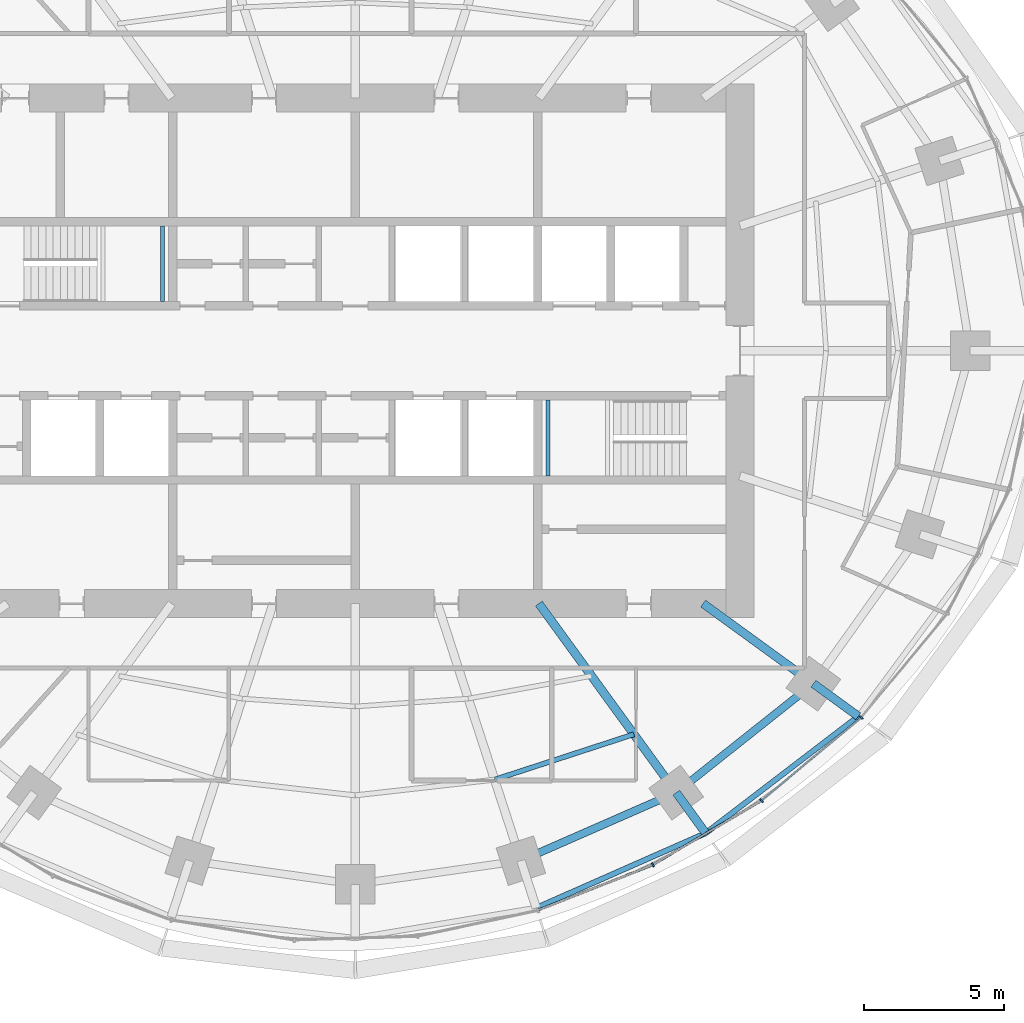
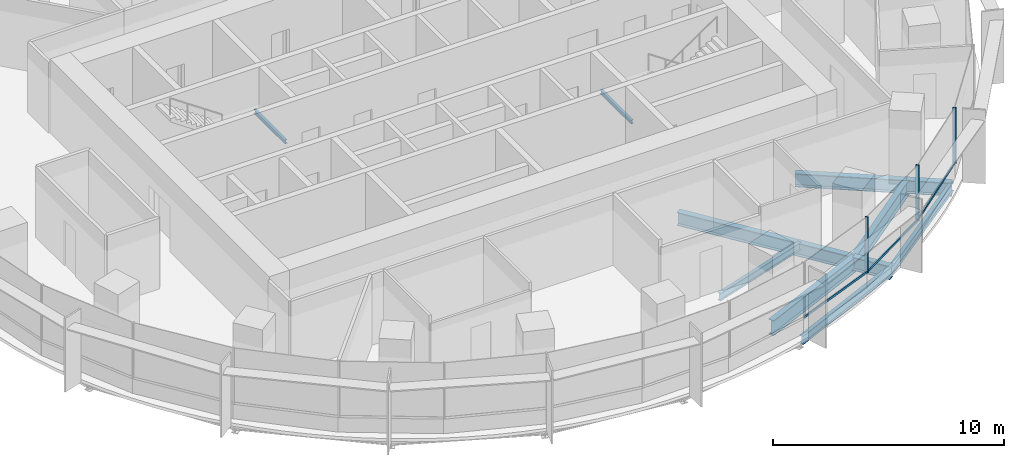
# One storey, part 5 of 15: 11 beams, 6 members, 2 elements without a shape of their own.
"""IFC4 building model written with IfcOpenShell, lengths in metres."""

from ifc_helpers import new_model, si_unit, direction, frame, origin, origin_2d, place, context, subcontext, project, spatial, rectangle, i_section, extrude, material, material_profile, profile_set, type_object, element, aggregate, save


model = new_model("IFC4")

# Units and contexts
model_context = context("Model", 3, precision=1e-05, world=origin(), true_north=direction((0.0, 1.0)))
body_context = subcontext(model_context, "Body", "Model", "MODEL_VIEW")
ifc_project = project(units=[si_unit("LENGTHUNIT", "METRE"), si_unit("AREAUNIT", "SQUARE_METRE"), si_unit("VOLUMEUNIT", "CUBIC_METRE"), si_unit("PLANEANGLEUNIT", "RADIAN"), si_unit("MASSUNIT", "GRAM", prefix="KILO")], contexts=[model_context])

# Site, building, storey
site_placement = place(None, origin())
site = spatial("IfcSite", under=ifc_project, at=site_placement, CompositionType="ELEMENT")
building_placement = place(site_placement, origin())
building = spatial("IfcBuilding", under=site, at=building_placement, Name="Marramba Exchange Tower", CompositionType="ELEMENT")
storey_placement = place(building_placement, frame((0.0, 0.0, 211.10009765625)))
storey = spatial("IfcBuildingStorey", under=building, at=storey_placement, Name="L51", CompositionType="ELEMENT", Elevation=211.10009765625)

# Beams
ifc_material_1 = material(Name="Steel AS/NZS 3679.2 grade 300", Category="steel")
ifc_material_profile_1 = material_profile(ifc_material_1, i_section(OverallWidth=0.300048828125, OverallDepth=0.699951171875, WebThickness=0.010009765625, FlangeThickness=0.031982421875, at=origin_2d()), Name="700WB173")
ifc_profile_set_1 = profile_set([ifc_material_profile_1], Name="Steel AS/NZS 3679.2 grade 300")
beam_type_1 = type_object("IfcBeamType", Name="Cantilever girder 700WB173", PredefinedType="BEAM", material=ifc_profile_set_1)
beam_1_placement = place(storey_placement, frame((11.430419921875, -15.732666015625, -0.510009765625), z_axis=(0.58783009415, -0.808984412959, 0.0), x_axis=(0.808984412959, 0.58783009415, 0.0)))
element("IfcBeam", 1, at=beam_1_placement, inside=storey, type_object=beam_type_1, Name="Cantilever girder L51 TC18", PredefinedType="BEAM", context=body_context, shape_type="SweptSolid", body=[
    extrude(i_section(OverallWidth=0.300048828125, OverallDepth=0.699951171875, WebThickness=0.010009765625, FlangeThickness=0.031982421875, at=origin_2d()), origin(), (0.0, 0.0, 1.0), 1.78515625),
])
beam_2_placement = place(storey_placement, frame((16.3154296875, -11.853759765625, -0.510009765625), z_axis=(0.808970801893, -0.587848825537, 0.0), x_axis=(0.587848825537, 0.808970801893, 0.0)))
element("IfcBeam", 2, at=beam_2_placement, inside=storey, type_object=beam_type_1, Name="Cantilever girder L51 TC19", PredefinedType="BEAM", context=body_context, shape_type="SweptSolid", body=[
    extrude(i_section(OverallWidth=0.300048828125, OverallDepth=0.699951171875, WebThickness=0.010009765625, FlangeThickness=0.031982421875, at=origin_2d()), origin(), (0.0, 0.0, 1.0), 1.978515625),
])
ifc_material_2 = material(Name="Steel AS/NZS 3679.1 grade 300", Category="steel")
ifc_material_profile_2 = material_profile(ifc_material_2, i_section(OverallWidth=0.177978515625, OverallDepth=0.406005859375, WebThickness=0.0078125, FlangeThickness=0.0126953125, FilletRadius=0.011474609375, at=origin_2d()), Name="410UB59.7")
ifc_profile_set_2 = profile_set([ifc_material_profile_2], Name="Steel AS/NZS 3679.1 grade 300")
beam_type_2 = type_object("IfcBeamType", Name="Floor joist 410UB59.7", PredefinedType="JOIST", material=ifc_profile_set_2)
beam_3_placement = place(storey_placement, frame((4.9619140625, -15.271484375, -0.363037109375), z_axis=(0.950764024931, 0.309915744834, 0.0), x_axis=(-0.309915744834, 0.950764024931, 0.0)))
element("IfcBeam", 3, at=beam_3_placement, inside=storey, type_object=beam_type_2, Name="Joist L51 bay 17 row 2", PredefinedType="JOIST", context=body_context, shape_type="SweptSolid", body=[
    extrude(i_section(OverallWidth=0.177978515625, OverallDepth=0.406005859375, WebThickness=0.0078125, FlangeThickness=0.0126953125, FilletRadius=0.011474609375, at=origin_2d()), origin(), (0.0, 0.0, 1.0), 5.2158203125),
])

# Curtain wall, members
ifc_material_3 = material(Name="Aluminium framing, bronze anodised", Category="aluminium")
curtain_wall_type = type_object("IfcCurtainWallType", Name="Office ribbon curtain wall", PredefinedType="USERDEFINED", material=ifc_material_3)
curtain_wall_1_placement = place(storey_placement, origin())
curtain_wall_1 = element("IfcCurtainWall", 4, at=curtain_wall_1_placement, inside=storey, type_object=curtain_wall_type, Name="Curtain wall CW4 L51 F26-F30", ObjectType="RIBBON CURTAIN WALL", PredefinedType="USERDEFINED")
ifc_material_4 = material(Name="Aluminium mullion, bronze anodised", Category="aluminium")
ifc_material_profile_3 = material_profile(ifc_material_4, rectangle(XDim=0.159912109375, YDim=0.06005859375, at=origin_2d()), Name="CW4 mullion 60x160")
ifc_profile_set_3 = profile_set([ifc_material_profile_3], Name="Aluminium mullion, bronze anodised")
member_type_1 = type_object("IfcMemberType", Name="Office ribbon curtain wall mullion", PredefinedType="MULLION", material=ifc_profile_set_3)
member_1_placement = place(storey_placement, frame((10.60009765625, -18.2998046875, 0.7998046875), z_axis=(0.0, 0.0, 1.0), x_axis=(-0.508010571686, 0.861350833897, 0.0)))
member_1 = element("IfcMember", 5, at=member_1_placement, type_object=member_type_1, Name="CW4 mullion 1", PredefinedType="MULLION", context=body_context, shape_type="SweptSolid", body=[
    extrude(rectangle(XDim=0.159912109375, YDim=0.06005859375, at=origin_2d()), origin(), (0.0, 0.0, 1.0), 2.940185546875),
])
member_2_placement = place(storey_placement, frame((14.461669921875, -16.0166015625, 0.7998046875), z_axis=(0.0, 0.0, 1.0), x_axis=(-0.639565270127, 0.768736798421, 0.0)))
member_2 = element("IfcMember", 6, at=member_2_placement, type_object=member_type_1, Name="CW4 mullion 1", PredefinedType="MULLION", context=body_context, shape_type="SweptSolid", body=[
    extrude(rectangle(XDim=0.159912109375, YDim=0.06005859375, at=origin_2d()), origin(), (0.0, 0.0, 1.0), 2.940185546875),
])
member_3_placement = place(storey_placement, frame((18.01611328125, -13.052490234375, 0.7998046875), z_axis=(0.0, 0.0, 1.0), x_axis=(-0.769912069289, 0.63814998673, 0.0)))
member_3 = element("IfcMember", 7, at=member_3_placement, type_object=member_type_1, Name="CW4 mullion 1", PredefinedType="MULLION", context=body_context, shape_type="SweptSolid", body=[
    extrude(rectangle(XDim=0.159912109375, YDim=0.06005859375, at=origin_2d()), origin(), (0.0, 0.0, 1.0), 2.940185546875),
])

# Curtain wall, member
curtain_wall_2_placement = place(storey_placement, origin())
curtain_wall_2 = element("IfcCurtainWall", 8, at=curtain_wall_2_placement, inside=storey, type_object=curtain_wall_type, Name="Curtain wall CW4 L51 F21-F25", ObjectType="RIBBON CURTAIN WALL", PredefinedType="USERDEFINED")
ifc_material_5 = material(Name="Aluminium transom, bronze anodised", Category="aluminium")
ifc_material_profile_4 = material_profile(ifc_material_5, rectangle(XDim=0.06005859375, YDim=0.1201171875, at=origin_2d()), Name="CW4 transom 60x120")
ifc_profile_set_4 = profile_set([ifc_material_profile_4], Name="Aluminium transom, bronze anodised")
member_type_2 = type_object("IfcMemberType", Name="Office ribbon curtain wall transom", PredefinedType="USERDEFINED", material=ifc_profile_set_4)
member_4_placement = place(storey_placement, frame((6.53271484375, -19.911376953125, 0.829833984375), z_axis=(0.930068344217, 0.367386547229, 0.0), x_axis=(-0.367386547229, 0.930068344217, 0.0)))
member_4 = element("IfcMember", 9, at=member_4_placement, type_object=member_type_2, Name="CW4 sill transom", ObjectType="TRANSOM", PredefinedType="USERDEFINED", context=body_context, shape_type="SweptSolid", body=[
    extrude(rectangle(XDim=0.06005859375, YDim=0.1201171875, at=origin_2d()), origin(), (0.0, 0.0, 1.0), 4.345458984375),
])
aggregate(curtain_wall_2, [member_4])

# Member
member_5_placement = place(storey_placement, frame((10.6259765625, -18.28466796875, 0.829833984375), z_axis=(0.861342387959, 0.508024891816, 0.0), x_axis=(-0.508024891816, 0.861342387959, 0.0)))
member_5 = element("IfcMember", 10, at=member_5_placement, type_object=member_type_2, Name="CW4 sill transom", ObjectType="TRANSOM", PredefinedType="USERDEFINED", context=body_context, shape_type="SweptSolid", body=[
    extrude(rectangle(XDim=0.06005859375, YDim=0.1201171875, at=origin_2d()), origin(), (0.0, 0.0, 1.0), 4.426513671875),
])

member_6_placement = place(storey_placement, frame((14.48486328125, -15.99755859375, 0.829833984375), z_axis=(0.768707257272, 0.639600775967, 0.0), x_axis=(-0.639600775967, 0.768707257272, 0.0)))
member_6 = element("IfcMember", 11, at=member_6_placement, type_object=member_type_2, Name="CW4 sill transom", ObjectType="TRANSOM", PredefinedType="USERDEFINED", context=body_context, shape_type="SweptSolid", body=[
    extrude(rectangle(XDim=0.06005859375, YDim=0.1201171875, at=origin_2d()), origin(), (0.0, 0.0, 1.0), 4.568603515625),
])

aggregate(curtain_wall_1, [member_1, member_5, member_2, member_6, member_3])

# Beams
ifc_material_profile_5 = material_profile(ifc_material_1, i_section(OverallWidth=0.300048828125, OverallDepth=0.699951171875, WebThickness=0.010009765625, FlangeThickness=0.031982421875, at=origin_2d()), Name="700WB173")
ifc_profile_set_5 = profile_set([ifc_material_profile_5], Name="Steel AS/NZS 3679.2 grade 300")
beam_type_3 = type_object("IfcBeamType", Name="Radial girder 700WB173", PredefinedType="BEAM", material=ifc_profile_set_5)
beam_4_placement = place(storey_placement, frame((6.538818359375, -9.0, -0.510009765625), z_axis=(0.587787877172, -0.809015087282, 0.0), x_axis=(0.809015087282, 0.587787877172, 0.0)))
element("IfcBeam", 12, at=beam_4_placement, inside=storey, type_object=beam_type_3, Name="Radial girder L51 TC18", PredefinedType="BEAM", context=body_context, shape_type="SweptSolid", body=[
    extrude(i_section(OverallWidth=0.300048828125, OverallDepth=0.699951171875, WebThickness=0.010009765625, FlangeThickness=0.031982421875, at=origin_2d()), origin(), (0.0, 0.0, 1.0), 8.322021484375),
])
beam_5_placement = place(storey_placement, frame((12.387451171875, -9.0, -0.510009765625), z_axis=(0.809025189606, -0.58777397236, 0.0), x_axis=(0.58777397236, 0.809025189606, 0.0)))
element("IfcBeam", 13, at=beam_5_placement, inside=storey, type_object=beam_type_3, Name="Radial girder L51 TC19", PredefinedType="BEAM", context=body_context, shape_type="SweptSolid", body=[
    extrude(i_section(OverallWidth=0.300048828125, OverallDepth=0.699951171875, WebThickness=0.010009765625, FlangeThickness=0.031982421875, at=origin_2d()), origin(), (0.0, 0.0, 1.0), 4.855224609375),
])
ifc_material_profile_6 = material_profile(ifc_material_1, i_section(OverallWidth=0.27490234375, OverallDepth=0.800048828125, WebThickness=0.010009765625, FlangeThickness=0.02490234375, at=origin_2d()), Name="800WB168")
ifc_profile_set_6 = profile_set([ifc_material_profile_6], Name="Steel AS/NZS 3679.2 grade 300")
beam_type_4 = type_object("IfcBeamType", Name="Ring beam 800WB168", PredefinedType="SPANDREL", material=ifc_profile_set_6)
beam_6_placement = place(storey_placement, frame((5.899658203125, -18.156982421875, -0.56005859375), z_axis=(0.915876892158, 0.4014592363, 0.0), x_axis=(-0.4014592363, 0.915876892158, 0.0)))
element("IfcBeam", 14, at=beam_6_placement, inside=storey, type_object=beam_type_4, Name="Ring beam L51 TC17-TC18", PredefinedType="SPANDREL", context=body_context, shape_type="SweptSolid", body=[
    extrude(i_section(OverallWidth=0.27490234375, OverallDepth=0.800048828125, WebThickness=0.010009765625, FlangeThickness=0.02490234375, at=origin_2d()), origin(), (0.0, 0.0, 1.0), 6.038818359375),
])
beam_7_placement = place(storey_placement, frame((11.430419921875, -15.732666015625, -0.56005859375), z_axis=(0.783139438128, 0.621846138887, 0.0), x_axis=(-0.621846138887, 0.783139438128, 0.0)))
element("IfcBeam", 15, at=beam_7_placement, inside=storey, type_object=beam_type_4, Name="Ring beam L51 TC18-TC19", PredefinedType="SPANDREL", context=body_context, shape_type="SweptSolid", body=[
    extrude(i_section(OverallWidth=0.27490234375, OverallDepth=0.800048828125, WebThickness=0.010009765625, FlangeThickness=0.02490234375, at=origin_2d()), origin(), (0.0, 0.0, 1.0), 6.23779296875),
])
ifc_material_profile_7 = material_profile(ifc_material_2, i_section(OverallWidth=0.19091796875, OverallDepth=0.4599609375, WebThickness=0.010009765625, FlangeThickness=0.01611328125, FilletRadius=0.011474609375, at=origin_2d()), Name="460UB82.1")
ifc_profile_set_7 = profile_set([ifc_material_profile_7], Name="Steel AS/NZS 3679.1 grade 300")
beam_type_5 = type_object("IfcBeamType", Name="Slab edge beam 460UB82.1", PredefinedType="SPANDREL", material=ifc_profile_set_7)
beam_8_placement = place(storey_placement, frame((6.44580078125, -19.83837890625, -0.39013671875), z_axis=(0.914940719579, 0.403588255102, 0.0), x_axis=(-0.403588255102, 0.914940719579, 0.0)))
element("IfcBeam", 16, at=beam_8_placement, inside=storey, type_object=beam_type_5, Name="Slab edge beam L51 TC17-TC18", PredefinedType="SPANDREL", context=body_context, shape_type="SweptSolid", body=[
    extrude(i_section(OverallWidth=0.19091796875, OverallDepth=0.4599609375, WebThickness=0.010009765625, FlangeThickness=0.01611328125, FilletRadius=0.011474609375, at=origin_2d()), origin(), (0.0, 0.0, 1.0), 6.594970703125),
])
beam_9_placement = place(storey_placement, frame((12.479736328125, -17.1767578125, -0.39013671875), z_axis=(0.794163423189, 0.607704251481, 0.0), x_axis=(-0.607704251481, 0.794163423189, 0.0)))
element("IfcBeam", 17, at=beam_9_placement, inside=storey, type_object=beam_type_5, Name="Slab edge beam L51 TC18-TC19", PredefinedType="SPANDREL", context=body_context, shape_type="SweptSolid", body=[
    extrude(i_section(OverallWidth=0.19091796875, OverallDepth=0.4599609375, WebThickness=0.010009765625, FlangeThickness=0.01611328125, FilletRadius=0.011474609375, at=origin_2d()), origin(), (0.0, 0.0, 1.0), 6.84521484375),
])
ifc_material_profile_8 = material_profile(ifc_material_2, i_section(OverallWidth=0.133056640625, OverallDepth=0.202880859375, WebThickness=0.005859375, FlangeThickness=0.0078125, FilletRadius=0.0087890625, at=origin_2d()), Name="200UB25.4")
ifc_profile_set_8 = profile_set([ifc_material_profile_8], Name="Steel AS/NZS 3679.1 grade 300")
beam_type_6 = type_object("IfcBeamType", Name="Stair landing beam 200UB25.4", PredefinedType="BEAM", material=ifc_profile_set_8)
for number, where, z_axis, x_axis, name in (
    (18, (-6.866455078125, 1.75, 1.6484375), (0.0, 1.0, 0.0), (-1.0, 0.0, 0.0), "Stair landing beam SLB1 ST1 L51 2"),
    (19, (6.866455078125, -4.449951171875, 1.6484375), (0.0, 1.0, 0.0), (-1.0, 0.0, 0.0), "Stair landing beam SLB1 ST2 L51 1"),
):
    element("IfcBeam", number, at=place(storey_placement, frame(where, z_axis=z_axis, x_axis=x_axis)), inside=storey, type_object=beam_type_6, Name=name, PredefinedType="BEAM", context=body_context, shape_type="SweptSolid", body=[
        extrude(i_section(OverallWidth=0.133056640625, OverallDepth=0.202880859375, WebThickness=0.005859375, FlangeThickness=0.0078125, FilletRadius=0.0087890625, at=origin_2d()), origin(), (0.0, 0.0, 1.0), 2.699951171875),
    ])

save(model, "model.ifc")
